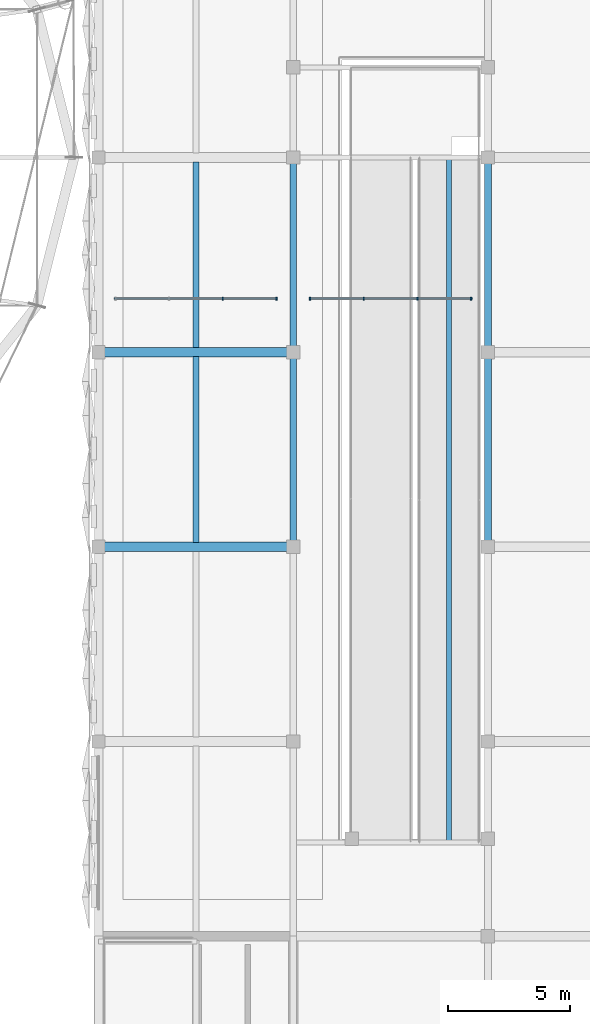
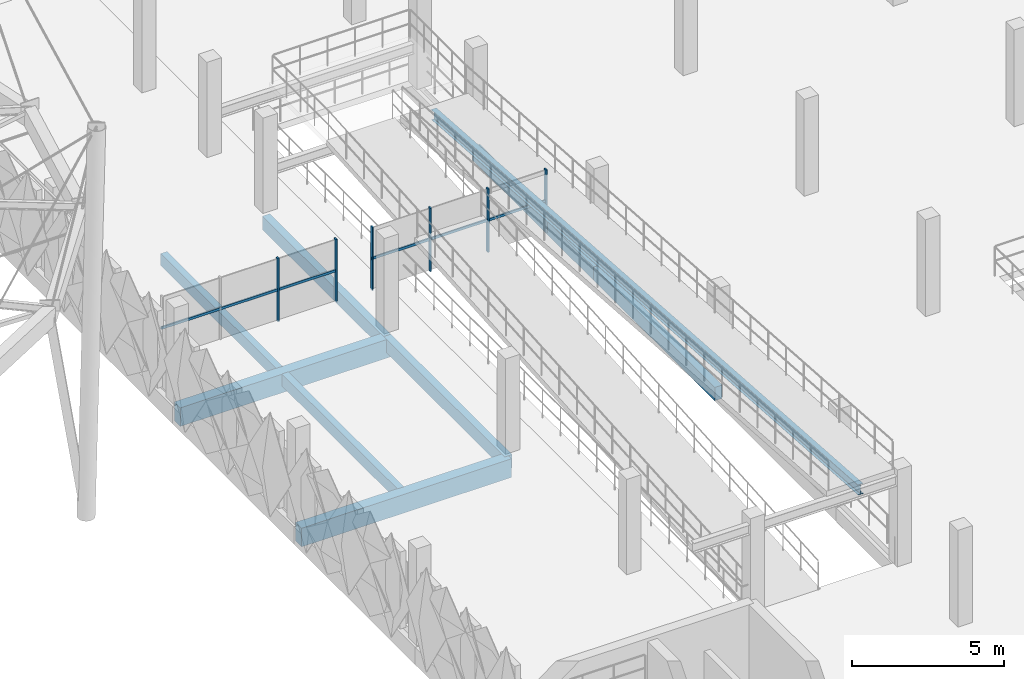
# One storey, part 24 of 96: 9 beams, 8 members, 2 elements without a shape of their own.
"""IFC4 building model written with IfcOpenShell, lengths in metres."""

from ifc_helpers import new_model, si_unit, derived_unit, direction, frame, origin, origin_2d, place, context, subcontext, project, spatial, rectangle, i_section, extrude, material, layer, layer_set, material_profile, profile_set, type_object, element, aggregate, save


model = new_model("IFC4")

# Units and contexts
model_context = context("Model", 3, precision=1e-05, world=origin(), true_north=direction((0.0, 1.0)))
body_context = subcontext(model_context, "Body", "Model", "MODEL_VIEW")
ifc_project = project(units=[si_unit("LENGTHUNIT", "METRE"), si_unit("AREAUNIT", "SQUARE_METRE"), si_unit("VOLUMEUNIT", "CUBIC_METRE"), si_unit("PLANEANGLEUNIT", "RADIAN"), si_unit("MASSUNIT", "GRAM", prefix="KILO"), si_unit("THERMODYNAMICTEMPERATUREUNIT", "KELVIN"), derived_unit("THERMALTRANSMITTANCEUNIT", [(si_unit("POWERUNIT", "WATT"), 1), (si_unit("AREAUNIT", "SQUARE_METRE"), -1), (si_unit("THERMODYNAMICTEMPERATUREUNIT", "KELVIN"), -1)])], contexts=[model_context])

# Site, building, storey
site_placement = place(None, origin())
site = spatial("IfcSite", under=ifc_project, at=site_placement, CompositionType="ELEMENT")
building_placement = place(site_placement, origin())
building = spatial("IfcBuilding", under=site, at=building_placement, Name="Haiyu Intermodal Mobility Hub", CompositionType="ELEMENT")
storey_placement = place(building_placement, frame((0.0, 0.0, 9.5)))
storey = spatial("IfcBuildingStorey", under=building, at=storey_placement, Name="L02", CompositionType="ELEMENT", Elevation=9.5)

# Beams
ifc_material_1 = material(Name="Concrete C40", Category="concrete")
ifc_material_profile_1 = material_profile(ifc_material_1, rectangle(XDim=0.39990234375, YDim=0.75, at=origin_2d()), Name="RCB400x750")
ifc_profile_set_1 = profile_set([ifc_material_profile_1], Name="Concrete C40")
beam_type_1 = type_object("IfcBeamType", Name="BM-CB03", PredefinedType="BEAM", material=ifc_profile_set_1)
for number, where, z_axis, x_axis, name in (
    (1, (154.0, 48.0, -0.635009765625), (1.0, 0.0, 0.0), (0.0, 1.0, 0.0), "BM-V5G-L02-028"),
    (2, (154.0, 56.0, -0.635009765625), (1.0, 0.0, 0.0), (0.0, 1.0, 0.0), "BM-V5G-L02-035"),
):
    element("IfcBeam", number, at=place(storey_placement, frame(where, z_axis=z_axis, x_axis=x_axis)), inside=storey, type_object=beam_type_1, Name=name, PredefinedType="BEAM", context=body_context, shape_type="SweptSolid", body=[
        extrude(rectangle(XDim=0.39990234375, YDim=0.75, at=origin_2d()), origin(), (0.0, 0.0, 1.0), 8.0),
    ])
ifc_material_profile_2 = material_profile(ifc_material_1, rectangle(XDim=0.280029296875, YDim=0.5400390625, at=origin_2d()), Name="RCB280x540")
ifc_profile_set_2 = profile_set([ifc_material_profile_2], Name="Concrete C40")
beam_type_2 = type_object("IfcBeamType", Name="BM-CB08", PredefinedType="JOIST", material=ifc_profile_set_2)
for number, where, z_axis, x_axis, name in (
    (3, (162.0, 48.0, -0.530029296875), (0.0, 1.0, 0.0), (-1.0, 0.0, 0.0), "BM-V5T-L02-013"),
    (4, (162.0, 56.0, -0.530029296875), (0.0, 1.0, 0.0), (-1.0, 0.0, 0.0), "BM-V5T-L02-014"),
    (5, (170.0, 48.0, -0.530029296875), (0.0, 1.0, 0.0), (-1.0, 0.0, 0.0), "BM-V5T-L02-021"),
    (6, (170.0, 56.0, -0.530029296875), (0.0, 1.0, 0.0), (-1.0, 0.0, 0.0), "BM-V5T-L02-022"),
):
    element("IfcBeam", number, at=place(storey_placement, frame(where, z_axis=z_axis, x_axis=x_axis)), inside=storey, type_object=beam_type_2, Name=name, PredefinedType="JOIST", context=body_context, shape_type="SweptSolid", body=[
        extrude(rectangle(XDim=0.280029296875, YDim=0.5400390625, at=origin_2d()), origin(), (0.0, 0.0, 1.0), 8.0),
    ])
ifc_material_profile_3 = material_profile(ifc_material_1, rectangle(XDim=0.25, YDim=0.47998046875, at=origin_2d()), Name="RCB250x480")
ifc_profile_set_3 = profile_set([ifc_material_profile_3], Name="Concrete C40")
beam_type_3 = type_object("IfcBeamType", Name="BM-CB09", PredefinedType="JOIST", material=ifc_profile_set_3)
for number, where, z_axis, x_axis, name in (
    (7, (158.0, 48.18505859375, -0.5), (0.0, 1.0, 0.0), (-1.0, 0.0, 0.0), "BM-V5J-L02-005"),
    (8, (158.0, 56.18505859375, -0.5), (0.0, 1.0, 0.0), (-1.0, 0.0, 0.0), "BM-V5J-L02-006"),
):
    element("IfcBeam", number, at=place(storey_placement, frame(where, z_axis=z_axis, x_axis=x_axis)), inside=storey, type_object=beam_type_3, Name=name, PredefinedType="JOIST", context=body_context, shape_type="SweptSolid", body=[
        extrude(rectangle(XDim=0.25, YDim=0.47998046875, at=origin_2d()), origin(), (0.0, 0.0, 1.0), 7.6298828125),
    ])
ifc_material_2 = material(Name="Steel Q355C", Category="steel")
ifc_material_profile_4 = material_profile(ifc_material_2, i_section(OverallWidth=0.199951171875, OverallDepth=0.39990234375, WebThickness=0.008056640625, FlangeThickness=0.012939453125, FilletRadius=0.01611328125, at=origin_2d()), Name="HN400x200x8x13")
ifc_profile_set_4 = profile_set([ifc_material_profile_4], Name="Steel Q355C")
beam_type_4 = type_object("IfcBeamType", Name="BM-SB08", PredefinedType="JOIST", material=ifc_profile_set_4)
beam_placement = place(storey_placement, frame((168.39990234375, 64.0, 1.570068359375), z_axis=(0.0, -0.997609415001, 0.069104667721), x_axis=(1.0, 0.0, 0.0)))
element("IfcBeam", 9, at=beam_placement, inside=storey, type_object=beam_type_4, Name="BM-BRMPS-L02", PredefinedType="JOIST", context=body_context, shape_type="SweptSolid", body=[
    extrude(i_section(OverallWidth=0.199951171875, OverallDepth=0.39990234375, WebThickness=0.008056640625, FlangeThickness=0.012939453125, FilletRadius=0.01611328125, at=origin_2d()), origin(), (0.0, 0.0, 1.0), 28.21728515625),
])

# Curtain wall, members
ifc_material_3 = material(Name="Low-e laminated insulating glass", Category="glass")
ifc_layer = layer(ifc_material_3, 0.179931640625)
ifc_layer_set = layer_set([ifc_layer], Name="Low-e laminated insulating glass")
curtain_wall_type = type_object("IfcCurtainWallType", Name="CW-CW06", PredefinedType="NOTDEFINED", material=ifc_layer_set)
curtain_wall_1_placement = place(storey_placement, origin())
curtain_wall_1 = element("IfcCurtainWall", 10, at=curtain_wall_1_placement, inside=storey, type_object=curtain_wall_type, Name="Curtain Wall CW-INT-05", PredefinedType="NOTDEFINED")
ifc_material_4 = material(Name="Anodised aluminium 6063-T6", Category="aluminium")
ifc_material_profile_5 = material_profile(ifc_material_4, rectangle(XDim=0.054931640625, YDim=0.125, at=origin_2d()), Name="ALU55x125")
ifc_profile_set_5 = profile_set([ifc_material_profile_5], Name="Anodised aluminium 6063-T6")
member_type_1 = type_object("IfcMemberType", Name="CWM-ML04", PredefinedType="MULLION", material=ifc_profile_set_5)
member_1_placement = place(storey_placement, frame((159.10302734375, 58.199951171875, 0.0), z_axis=(0.0, 0.0, 1.0), x_axis=(1.0, 0.0, 0.0)))
member_1 = element("IfcMember", 11, at=member_1_placement, type_object=member_type_1, Name="CW-INT-05-ML03", PredefinedType="MULLION", context=body_context, shape_type="SweptSolid", body=[
    extrude(rectangle(XDim=0.054931640625, YDim=0.125, at=origin_2d()), origin(), (0.0, 0.0, 1.0), 2.550048828125),
])
member_2_placement = place(storey_placement, frame((161.31005859375, 58.199951171875, 0.0), z_axis=(0.0, 0.0, 1.0), x_axis=(1.0, 0.0, 0.0)))
member_2 = element("IfcMember", 12, at=member_2_placement, type_object=member_type_1, Name="CW-INT-05-ML04", PredefinedType="MULLION", context=body_context, shape_type="SweptSolid", body=[
    extrude(rectangle(XDim=0.054931640625, YDim=0.125, at=origin_2d()), origin(), (0.0, 0.0, 1.0), 2.550048828125),
])

curtain_wall_2_placement = place(storey_placement, origin())
curtain_wall_2 = element("IfcCurtainWall", 13, at=curtain_wall_2_placement, inside=storey, type_object=curtain_wall_type, Name="Curtain Wall CW-INT-06", PredefinedType="NOTDEFINED")
member_3_placement = place(storey_placement, frame((162.68994140625, 58.199951171875, 0.0), z_axis=(0.0, 0.0, 1.0), x_axis=(1.0, 0.0, 0.0)))
member_3 = element("IfcMember", 14, at=member_3_placement, type_object=member_type_1, Name="CW-INT-06-ML01", PredefinedType="MULLION", context=body_context, shape_type="SweptSolid", body=[
    extrude(rectangle(XDim=0.054931640625, YDim=0.125, at=origin_2d()), origin(), (0.0, 0.0, 1.0), 2.550048828125),
])
member_4_placement = place(storey_placement, frame((164.89697265625, 58.199951171875, 0.0), z_axis=(0.0, 0.0, 1.0), x_axis=(1.0, 0.0, 0.0)))
member_4 = element("IfcMember", 15, at=member_4_placement, type_object=member_type_1, Name="CW-INT-06-ML02", PredefinedType="MULLION", context=body_context, shape_type="SweptSolid", body=[
    extrude(rectangle(XDim=0.054931640625, YDim=0.125, at=origin_2d()), origin(), (0.0, 0.0, 1.0), 2.550048828125),
])
member_5_placement = place(storey_placement, frame((167.10302734375, 58.199951171875, 0.0), z_axis=(0.0, 0.0, 1.0), x_axis=(1.0, 0.0, 0.0)))
member_5 = element("IfcMember", 16, at=member_5_placement, type_object=member_type_1, Name="CW-INT-06-ML03", PredefinedType="MULLION", context=body_context, shape_type="SweptSolid", body=[
    extrude(rectangle(XDim=0.054931640625, YDim=0.125, at=origin_2d()), origin(), (0.0, 0.0, 1.0), 2.550048828125),
])
member_6_placement = place(storey_placement, frame((169.31005859375, 58.199951171875, 0.0), z_axis=(0.0, 0.0, 1.0), x_axis=(1.0, 0.0, 0.0)))
member_6 = element("IfcMember", 17, at=member_6_placement, type_object=member_type_1, Name="CW-INT-06-ML04", PredefinedType="MULLION", context=body_context, shape_type="SweptSolid", body=[
    extrude(rectangle(XDim=0.054931640625, YDim=0.125, at=origin_2d()), origin(), (0.0, 0.0, 1.0), 2.550048828125),
])

# Member
ifc_material_profile_6 = material_profile(ifc_material_4, rectangle(XDim=0.054931640625, YDim=0.10009765625, at=origin_2d()), Name="ALU55x100")
ifc_profile_set_6 = profile_set([ifc_material_profile_6], Name="Anodised aluminium 6063-T6")
member_type_2 = type_object("IfcMemberType", Name="CWM-TR04", PredefinedType="USERDEFINED", material=ifc_profile_set_6)
member_7_placement = place(storey_placement, frame((154.64990234375, 58.199951171875, 1.27490234375), z_axis=(1.0, 0.0, 0.0), x_axis=(0.0, 1.0, 0.0)))
member_7 = element("IfcMember", 18, at=member_7_placement, type_object=member_type_2, Name="CW-INT-05-TR01", ObjectType="TRANSOM", PredefinedType="USERDEFINED", context=body_context, shape_type="SweptSolid", body=[
    extrude(rectangle(XDim=0.054931640625, YDim=0.10009765625, at=origin_2d()), origin(), (0.0, 0.0, 1.0), 6.7001953125),
])

aggregate(curtain_wall_1, [member_1, member_2, member_7])

member_8_placement = place(storey_placement, frame((162.64990234375, 58.199951171875, 1.27490234375), z_axis=(1.0, 0.0, 0.0), x_axis=(0.0, 1.0, 0.0)))
member_8 = element("IfcMember", 19, at=member_8_placement, type_object=member_type_2, Name="CW-INT-06-TR01", ObjectType="TRANSOM", PredefinedType="USERDEFINED", context=body_context, shape_type="SweptSolid", body=[
    extrude(rectangle(XDim=0.054931640625, YDim=0.10009765625, at=origin_2d()), origin(), (0.0, 0.0, 1.0), 6.7001953125),
])

aggregate(curtain_wall_2, [member_3, member_4, member_5, member_6, member_8])

save(model, "model.ifc")
